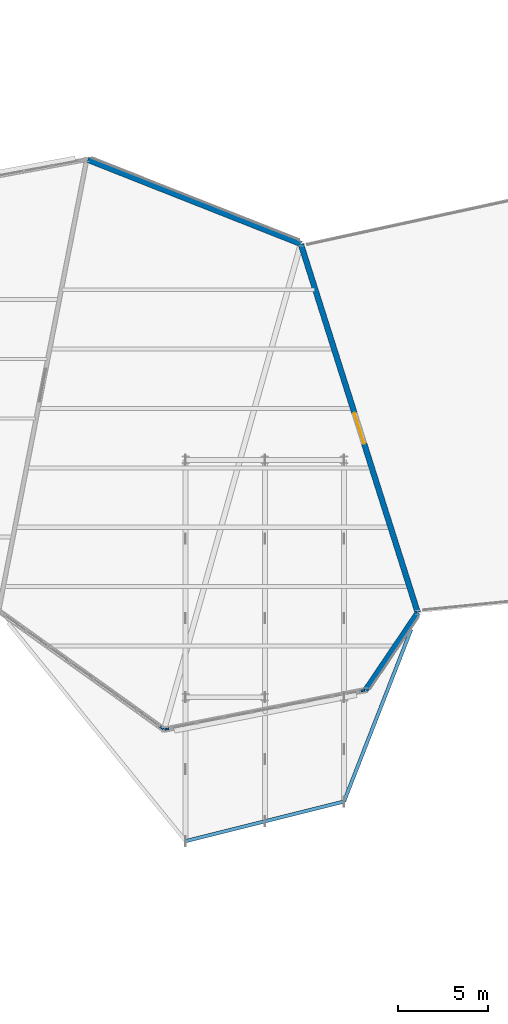
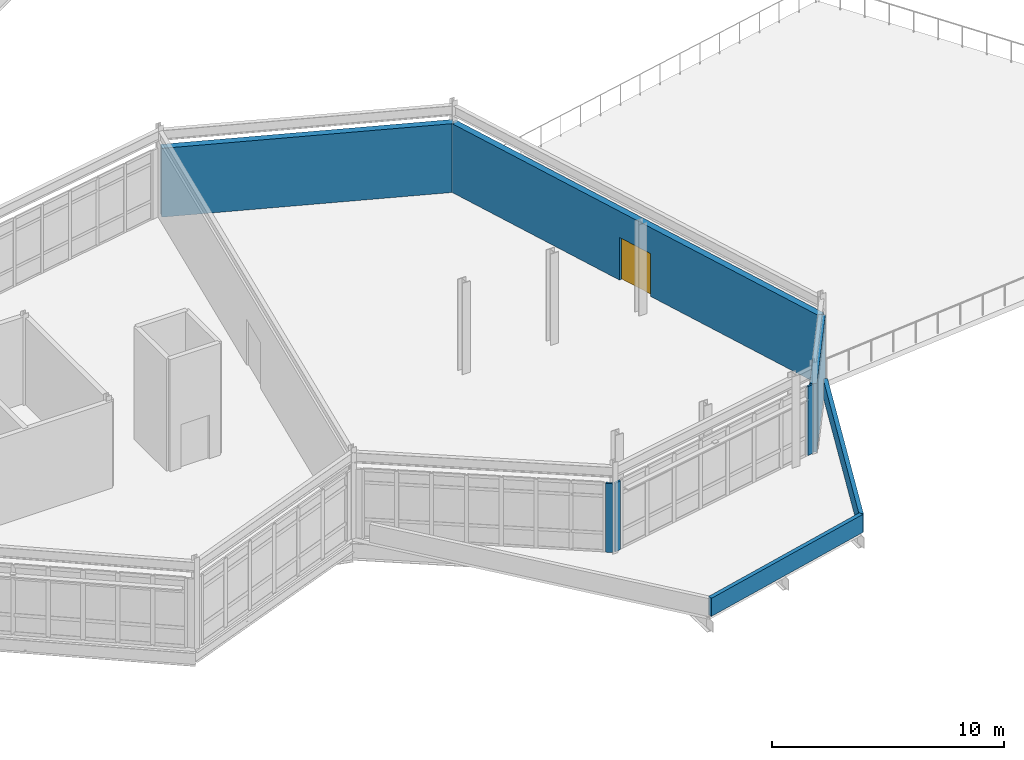
# One storey, part 65 of 76: 8 walls, 1 door, 1 opening.
"""IFC4 building model written with IfcOpenShell, lengths in metres."""

from ifc_helpers import new_model, si_unit, direction, frame, frame_2d, origin, place, context, subcontext, project, spatial, rectangle, extrude, material, layer, layer_set, type_object, element, fill, save


model = new_model("IFC4")

# Units and contexts
model_context = context("Model", 3, precision=1e-05, world=origin(), true_north=direction((0.0, 1.0)))
body_context = subcontext(model_context, "Body", "Model", "MODEL_VIEW")
ifc_project = project(units=[si_unit("LENGTHUNIT", "METRE"), si_unit("AREAUNIT", "SQUARE_METRE"), si_unit("VOLUMEUNIT", "CUBIC_METRE"), si_unit("PLANEANGLEUNIT", "RADIAN"), si_unit("MASSUNIT", "GRAM", prefix="KILO")], contexts=[model_context])

# Site, building, storey
site_placement = place(None, origin())
site = spatial("IfcSite", under=ifc_project, at=site_placement, CompositionType="ELEMENT")
building_placement = place(site_placement, origin())
building = spatial("IfcBuilding", under=site, at=building_placement, Name="Tameran Prism Museum", CompositionType="ELEMENT")
storey_placement = place(building_placement, frame((0.0, 0.0, 15.0)))
storey = spatial("IfcBuildingStorey", under=building, at=storey_placement, Name="L03", CompositionType="ELEMENT", Elevation=15.0)

# Walls
ifc_material_1 = material(Name="Precast Concrete N40 (40 MPa)", Category="concrete")
ifc_layer_1 = layer(ifc_material_1, 0.094970703125)
ifc_layer_set_1 = layer_set([ifc_layer_1])
wall_type_1 = type_object("IfcWallType", Name="EW-CLOS-095", PredefinedType="SOLIDWALL", material=ifc_layer_set_1)
wall_1_placement = place(storey_placement, frame((129.865966796875, 15.72412109375, 0.0), z_axis=(0.0, 0.0, 1.0), x_axis=(-0.811639565077, 0.584158554162, 0.0)))
element("IfcWall", 1, at=wall_1_placement, inside=storey, type_object=wall_type_1, Name="Facade Corner Closure EW-0404", PredefinedType="SOLIDWALL", context=body_context, shape_type="SweptSolid", body=[
    extrude(rectangle(XDim=0.30810546875, YDim=0.094970703125, at=frame_2d((0.154052734375, 0.0))), origin(), (0.0, 0.0, 1.0), 3.6201171875),
])
for number, where, z_axis, x_axis, name in (
    (2, (141.05908203125, 17.89208984375, 0.0), (0.0, 0.0, 1.0), (-0.981395904747, -0.191994995108, 0.0), "Facade Corner Closure EW-0406"),
    (3, (130.242919921875, 15.76708984375, 0.0), (0.0, 0.0, 1.0), (-0.981395904747, -0.191994995108, 0.0), "Facade Corner Closure EW-0407"),
):
    element("IfcWall", number, at=place(storey_placement, frame(where, z_axis=z_axis, x_axis=x_axis)), inside=storey, type_object=wall_type_1, Name=name, PredefinedType="SOLIDWALL", context=body_context, shape_type="SweptSolid", body=[
        extrude(rectangle(XDim=0.3076171875, YDim=0.094970703125, at=frame_2d((0.15380859375, 0.0))), origin(), (0.0, 0.0, 1.0), 3.6201171875),
    ])
ifc_material_2 = material(Name="Precast Concrete N40 (40 MPa)", Category="concrete")
ifc_layer_2 = layer(ifc_material_2, 0.31494140625)
ifc_layer_set_2 = layer_set([ifc_layer_2])
wall_type_2 = type_object("IfcWallType", Name="EW-GAL-315", PredefinedType="SOLIDWALL", material=ifc_layer_set_2)
wall_2_placement = place(storey_placement, frame((125.656982421875, 47.3779296875, 0.0), z_axis=(0.0, 0.0, 1.0), x_axis=(0.930071968125, -0.367377372884, 0.0)))
element("IfcWall", 4, at=wall_2_placement, inside=storey, type_object=wall_type_2, Name="Exterior Fluted Precast Wall EW-0403", PredefinedType="SOLIDWALL", context=body_context, shape_type="SweptSolid", body=[
    extrude(rectangle(XDim=12.7333984375, YDim=0.31494140625, at=frame_2d((6.36669921875, 0.0))), origin(), (0.0, 0.0, 1.0), 3.6201171875),
])
wall_3_placement = place(storey_placement, frame((144.0, 22.199951171875, 0.0), z_axis=(0.0, 0.0, 1.0), x_axis=(-0.559124361662, -0.829083800467, 0.0)))
element("IfcWall", 5, at=wall_3_placement, inside=storey, type_object=wall_type_2, Name="Exterior Fluted Precast Wall EW-0408", PredefinedType="SOLIDWALL", context=body_context, shape_type="SweptSolid", body=[
    extrude(rectangle(XDim=5.1865234375, YDim=0.31494140625, at=frame_2d((2.59326171875, 0.0))), origin(), (0.0, 0.0, 1.0), 3.6201171875),
])

# Wall, opening, door
wall_4_placement = place(storey_placement, frame((137.5, 42.699951171875, 0.0), z_axis=(0.0, 0.0, 1.0), x_axis=(0.302243860734, -0.953230637699, 0.0)))
wall_4 = element("IfcWall", 6, at=wall_4_placement, inside=storey, type_object=wall_type_2, Name="Exterior Fluted Precast Wall EW-0409", PredefinedType="SOLIDWALL", context=body_context, shape_type="SweptSolid", body=[
    extrude(rectangle(XDim=21.505859375, YDim=0.31494140625, at=frame_2d((10.7529296875, 0.0))), origin(), (0.0, 0.0, 1.0), 3.6201171875),
])
opening_placement = place(wall_4_placement, frame((9.85302734375, 0.0, 0.0)))
opening = element("IfcOpeningElement", 7, at=opening_placement, cuts=wall_4, Name="Opening TD-20", PredefinedType="OPENING", context=body_context, shape_type="SweptSolid", body=[
    extrude(rectangle(XDim=1.800048828125, YDim=2.25, at=frame_2d((0.89990234375, 1.125))), frame((0.0, 0.16748046875, 0.0), z_axis=(0.0, -1.0, 0.0), x_axis=(1.0, 0.0, 0.0)), (0.0, 0.0, 1.0), 0.3349609375),
])
ifc_material_3 = material(Name="Cyclone-Rated Anodised Aluminium 6063-T6 and Laminated Glass", Category="aluminium")
door_type = type_object("IfcDoorType", Name="DR-TER-180", OperationType="DOUBLE_DOOR_SINGLE_SWING", PredefinedType="DOOR", material=ifc_material_3)
door_placement = place(opening_placement, origin())
door = element("IfcDoor", 8, at=door_placement, inside=storey, type_object=door_type, Name="Terrace Access Door TD-20", OperationType="DOUBLE_DOOR_SINGLE_SWING", OverallHeight=2.25, OverallWidth=1.800048828125, PredefinedType="DOOR", context=body_context, shape_type="SweptSolid", body=[
    extrude(rectangle(XDim=1.800048828125, YDim=2.25, at=frame_2d((0.89990234375, 1.125))), frame((0.0, 0.02490234375, 0.0), z_axis=(0.0, -1.0, 0.0), x_axis=(1.0, 0.0, 0.0)), (0.0, 0.0, 1.0), 0.050048828125),
])
fill(opening, door)

# Walls
ifc_material_4 = material(Name="Precast Concrete N40 (40 MPa)", Category="concrete")
ifc_layer_3 = layer(ifc_material_4, 0.195068359375)
ifc_layer_set_3 = layer_set([ifc_layer_3])
wall_type_3 = type_object("IfcWallType", Name="EW-PAR-195", PredefinedType="PARAPET", material=ifc_layer_set_3)
wall_5_placement = place(storey_placement, frame((139.89990234375, 11.699951171875, 0.0), z_axis=(0.0, 0.0, 1.0), x_axis=(-0.970142500145, -0.242535625036, 0.0)))
element("IfcWall", 9, at=wall_5_placement, inside=storey, type_object=wall_type_3, Name="Prow Roof Parapet EP-040", PredefinedType="PARAPET", context=body_context, shape_type="SweptSolid", body=[
    extrude(rectangle(XDim=9.070556640625, YDim=0.195068359375, at=frame_2d((4.53515625, 0.0))), origin(), (0.0, 0.0, 1.0), 0.949951171875),
])
wall_6_placement = place(storey_placement, frame((143.635009765625, 21.264892578125, 0.0), z_axis=(0.0, 0.0, 1.0), x_axis=(-0.363749317011, -0.931496878349, 0.0)))
element("IfcWall", 10, at=wall_6_placement, inside=storey, type_object=wall_type_3, Name="Prow Roof Parapet EP-042", PredefinedType="PARAPET", context=body_context, shape_type="SweptSolid", body=[
    extrude(rectangle(XDim=10.268310546875, YDim=0.195068359375, at=frame_2d((5.13427734375, 0.0))), origin(), (0.0, 0.0, 1.0), 0.949951171875),
])

save(model, "model.ifc")
